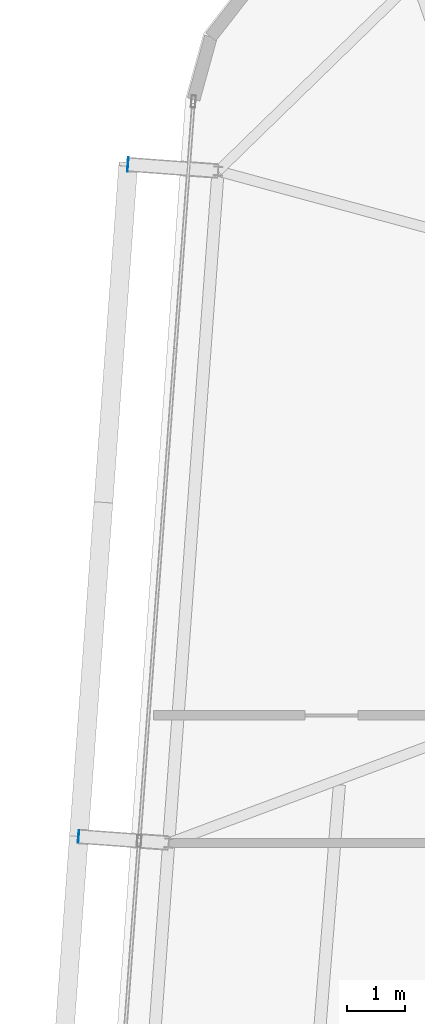
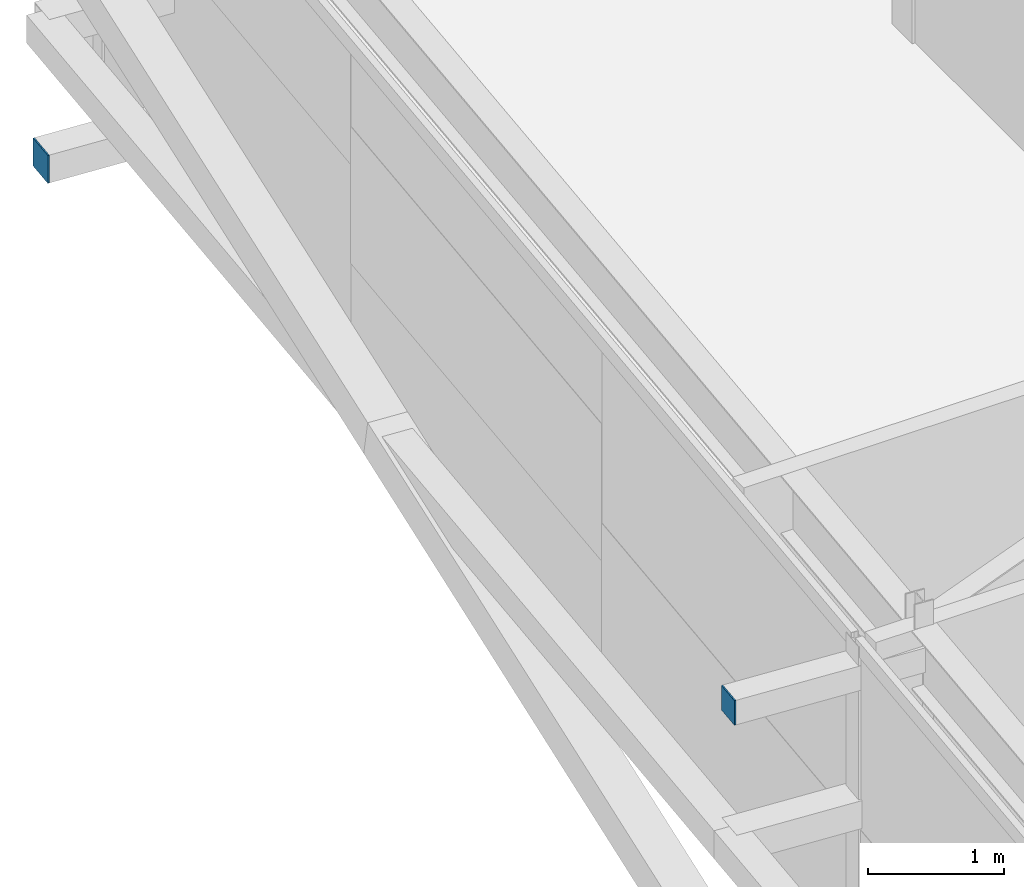
# One storey, part 27 of 36: 2 plates.
"""IFC4 building model written with IfcOpenShell, lengths in metres."""

from ifc_helpers import new_model, si_unit, direction, frame, origin, origin_2d, place, context, subcontext, project, spatial, rectangle, extrude, source, transform, mapped, material, layer, layer_set, type_object, element, save


model = new_model("IFC4")

# Units and contexts
model_context = context("Model", 3, precision=1e-05, world=origin(), true_north=direction((0.0, 1.0)))
body_context = subcontext(model_context, "Body", "Model", "MODEL_VIEW")
ifc_project = project(units=[si_unit("LENGTHUNIT", "METRE"), si_unit("AREAUNIT", "SQUARE_METRE"), si_unit("VOLUMEUNIT", "CUBIC_METRE"), si_unit("PLANEANGLEUNIT", "RADIAN"), si_unit("MASSUNIT", "GRAM", prefix="KILO")], contexts=[model_context])

# Site, building, storey
site_placement = place(None, origin())
site = spatial("IfcSite", under=ifc_project, at=site_placement, CompositionType="ELEMENT")
building_placement = place(site_placement, origin())
building = spatial("IfcBuilding", under=site, at=building_placement, Name="Taldren Reach Tower", CompositionType="ELEMENT")
storey_placement = place(building_placement, frame((0.0, 0.0, 227.14990234375)))
storey = spatial("IfcBuildingStorey", under=building, at=storey_placement, Name="L69", CompositionType="ELEMENT", Elevation=227.14990234375)

# Plates
ifc_material_1 = material(Name="Steel Gr 350 (C350L0)", Category="steel")
ifc_layer_1 = layer(ifc_material_1, 0.011962890625)
ifc_layer_set_1 = layer_set([ifc_layer_1], Name="Steel Gr 350 (C350L0)")
plate_type_1 = type_object("IfcPlateType", Name="PL-CAP-250", PredefinedType="SHEET", material=ifc_layer_set_1)
shared_shape_1 = source(origin(), body_context, "Body", "SweptSolid", [
    extrude(rectangle(XDim=0.011962890625, YDim=0.25, at=origin_2d()), origin(), (0.0, 0.0, 1.0), 0.25),
])
plate_1_placement = place(storey_placement, frame((12.406494140625, 33.483154296875, 0.09521484375), z_axis=(0.0, 0.0, 1.0), x_axis=(0.997314477224, -0.073238197128, 0.0)))
element("IfcPlate", 1, at=plate_1_placement, inside=storey, type_object=plate_type_1, Name="Tie strut end cap plate B5-W3 L69", PredefinedType="SHEET", context=body_context, shape_type="MappedRepresentation", body=[
    mapped(shared_shape_1, transform((0.0, 0.0, 0.0), scale=1.0)),
])
ifc_material_2 = material(Name="Steel Gr 450 (C450L0)", Category="steel")
ifc_layer_2 = layer(ifc_material_2, 0.011962890625)
ifc_layer_set_2 = layer_set([ifc_layer_2], Name="Steel Gr 450 (C450L0)")
plate_type_2 = type_object("IfcPlateType", Name="PL-CAP-220", PredefinedType="SHEET", material=ifc_layer_set_2)
shared_shape_2 = source(origin(), body_context, "Body", "SweptSolid", [
    extrude(rectangle(XDim=0.011962890625, YDim=0.219970703125, at=origin_2d()), origin(), (0.0, 0.0, 1.0), 0.219970703125),
])
plate_2_placement = place(storey_placement, frame((11.556884765625, 21.914306640625, 2.5400390625), z_axis=(0.0, 0.0, 1.0), x_axis=(0.997314477224, -0.073238197128, 0.0)))
element("IfcPlate", 2, at=plate_2_placement, inside=storey, type_object=plate_type_2, Name="Tie strut end cap plate B5-W2 L69", PredefinedType="SHEET", context=body_context, shape_type="MappedRepresentation", body=[
    mapped(shared_shape_2, transform((0.0, 0.0, 0.0), scale=1.0)),
])

save(model, "model.ifc")
